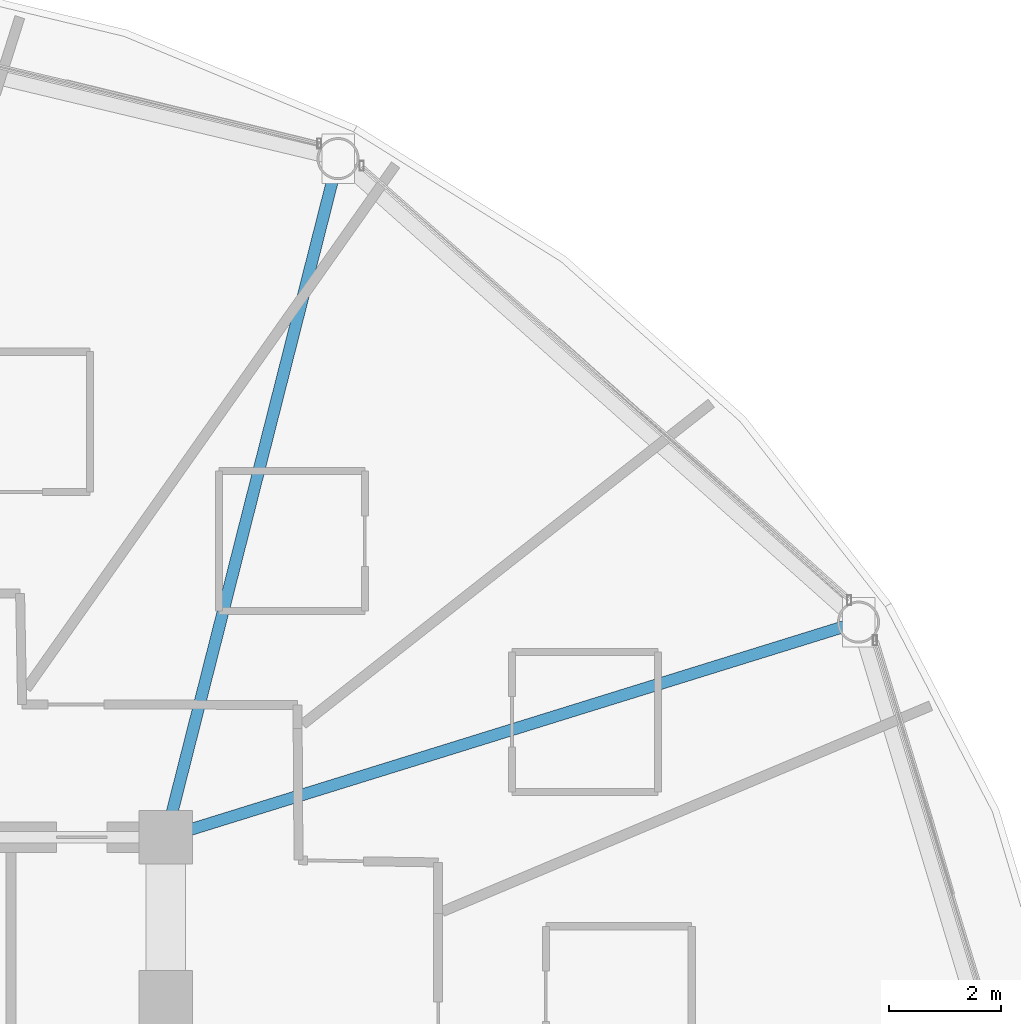
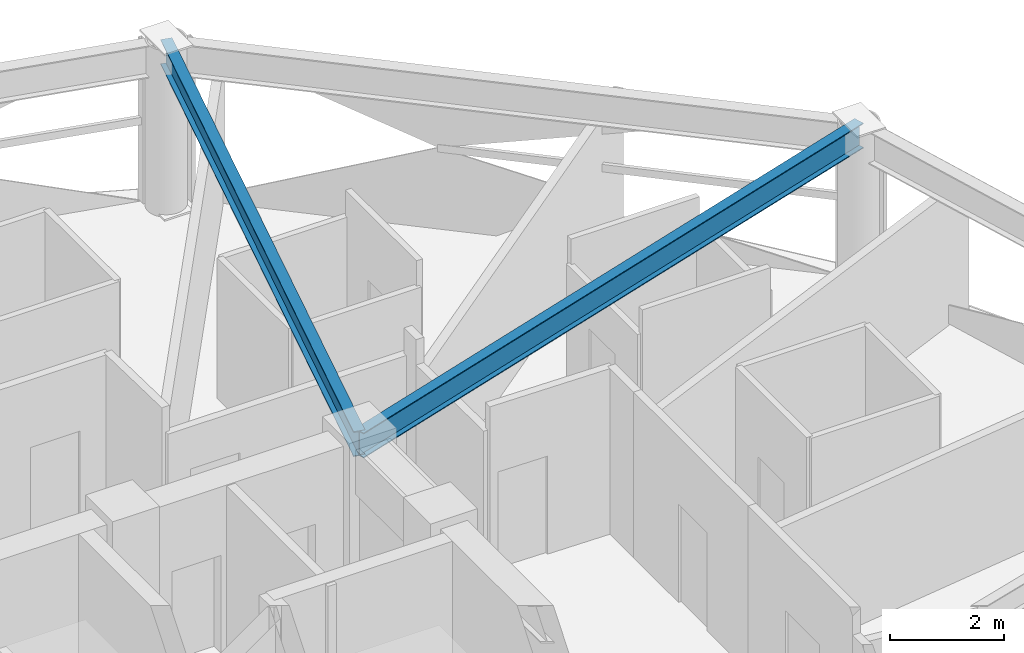
# One storey, part 19 of 31: 2 beams.
"""IFC4 building model written with IfcOpenShell, lengths in metres."""

from ifc_helpers import new_model, si_unit, direction, frame, origin, origin_2d, place, context, subcontext, project, spatial, i_section, extrude, material, material_profile, profile_set, type_object, element, save


model = new_model("IFC4")

# Units and contexts
model_context = context("Model", 3, precision=1e-05, world=origin(), true_north=direction((0.0, 1.0)))
body_context = subcontext(model_context, "Body", "Model", "MODEL_VIEW")
ifc_project = project(units=[si_unit("LENGTHUNIT", "METRE"), si_unit("AREAUNIT", "SQUARE_METRE"), si_unit("VOLUMEUNIT", "CUBIC_METRE"), si_unit("PLANEANGLEUNIT", "RADIAN"), si_unit("MASSUNIT", "GRAM", prefix="KILO")], contexts=[model_context])

# Site, building, storey
site_placement = place(None, origin())
site = spatial("IfcSite", under=ifc_project, at=site_placement, CompositionType="ELEMENT")
building_placement = place(site_placement, origin())
building = spatial("IfcBuilding", under=site, at=building_placement, Name="Vantalir Tower", CompositionType="ELEMENT")
storey_placement = place(building_placement, frame((0.0, 0.0, 123.449951171875)))
storey = spatial("IfcBuildingStorey", under=building, at=storey_placement, Name="L30", CompositionType="ELEMENT", Elevation=123.449951171875)

# Beams
ifc_material = material(Name="Steel S355", Category="steel")
ifc_material_profile = material_profile(ifc_material, i_section(OverallWidth=0.2109375, OverallDepth=0.5390625, WebThickness=0.01171875, FlangeThickness=0.018798828125, at=origin_2d()), Name="Steel S355")
ifc_profile_set = profile_set([ifc_material_profile], Name="Steel S355")
beam_type = type_object("IfcBeamType", Name="BM-RB-533x210", PredefinedType="BEAM", material=ifc_profile_set)
beam_1_placement = place(storey_placement, frame((53.445068359375, 36.282958984375, 3.300048828125), z_axis=(-0.955024490014, -0.296526935493, 0.0), x_axis=(0.296526935493, -0.955024490014, 0.0)))
element("IfcBeam", 1, at=beam_1_placement, inside=storey, type_object=beam_type, Name="L30 Radial Floor Beam 02", PredefinedType="BEAM", context=body_context, shape_type="SweptSolid", body=[
    extrude(i_section(OverallWidth=0.2109375, OverallDepth=0.5390625, WebThickness=0.01171875, FlangeThickness=0.018798828125, at=origin_2d()), origin(), (0.0, 0.0, 1.0), 12.92626953125),
])
beam_2_placement = place(storey_placement, frame((44.169921875, 44.54296875, 3.300048828125), z_axis=(-0.246047052435, -0.969257885182, 0.0), x_axis=(0.969257885182, -0.246047052435, 0.0)))
element("IfcBeam", 2, at=beam_2_placement, inside=storey, type_object=beam_type, Name="L30 Radial Floor Beam 03", PredefinedType="BEAM", context=body_context, shape_type="SweptSolid", body=[
    extrude(i_section(OverallWidth=0.2109375, OverallDepth=0.5390625, WebThickness=0.01171875, FlangeThickness=0.018798828125, at=origin_2d()), origin(), (0.0, 0.0, 1.0), 12.4765625),
])

save(model, "model.ifc")
